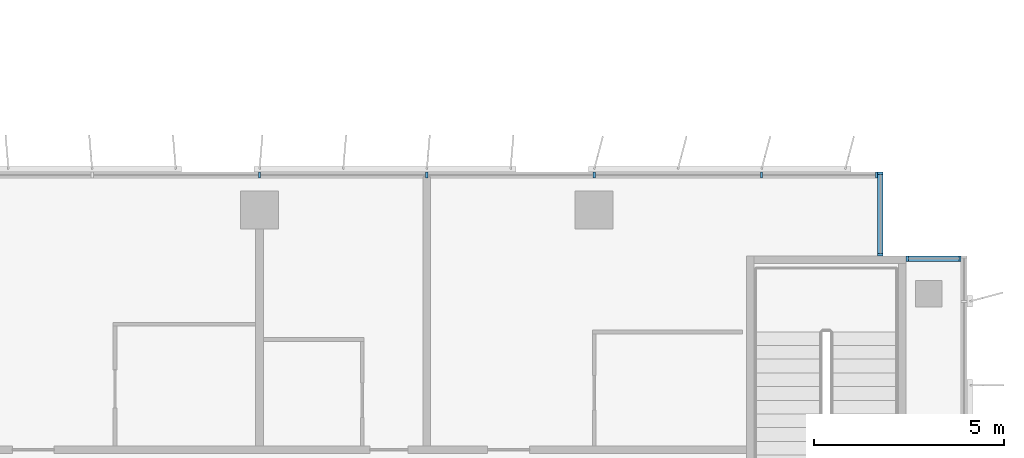
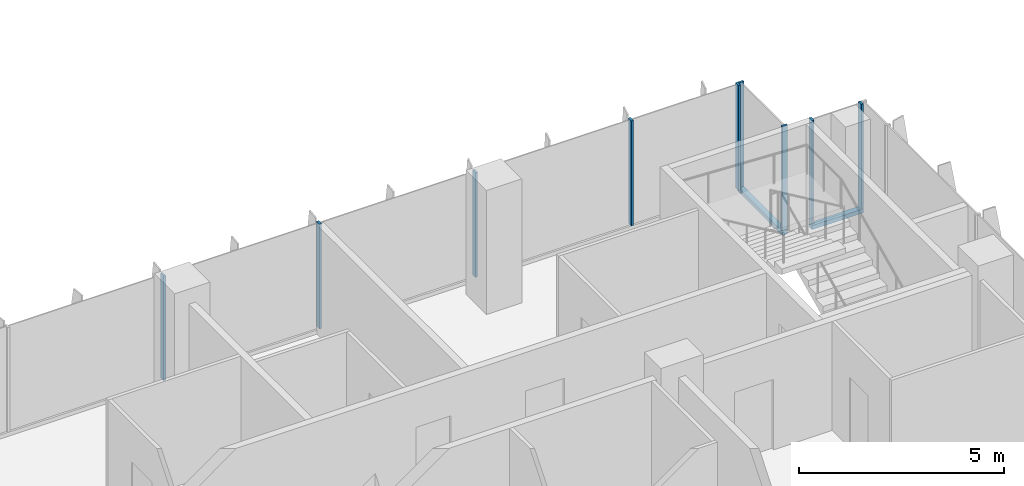
# One storey, part 4 of 20: 11 members, 3 elements without a shape of their own.
"""IFC4 building model written with IfcOpenShell, lengths in metres."""

from ifc_helpers import new_model, si_unit, direction, frame, origin, origin_2d, place, context, subcontext, project, spatial, rectangle, extrude, source, transform, mapped, material, material_profile, profile_set, type_object, element, aggregate, save


model = new_model("IFC4")

# Units and contexts
model_context = context("Model", 3, precision=1e-05, world=origin(), true_north=direction((0.0, 1.0)))
body_context = subcontext(model_context, "Body", "Model", "MODEL_VIEW")
ifc_project = project(units=[si_unit("LENGTHUNIT", "METRE"), si_unit("AREAUNIT", "SQUARE_METRE"), si_unit("VOLUMEUNIT", "CUBIC_METRE"), si_unit("PLANEANGLEUNIT", "RADIAN"), si_unit("MASSUNIT", "GRAM", prefix="KILO")], contexts=[model_context])

# Site, building, storey
site_placement = place(None, origin())
site = spatial("IfcSite", under=ifc_project, at=site_placement, CompositionType="ELEMENT")
building_placement = place(site_placement, origin())
building = spatial("IfcBuilding", under=site, at=building_placement, Name="Kemantara Hotel Tower", CompositionType="ELEMENT")
storey_placement = place(building_placement, frame((0.0, 0.0, 190.10009765625)))
storey = spatial("IfcBuildingStorey", under=building, at=storey_placement, Name="L47", CompositionType="ELEMENT", Elevation=190.10009765625)

# Curtain wall, member
ifc_material_1 = material(Name="Low-E tinted double insulated glass 36 mm", Category="glass")
curtain_wall_type = type_object("IfcCurtainWallType", Name="TOWER CURTAIN WALL, FRONT FACES", PredefinedType="USERDEFINED", material=ifc_material_1)
curtain_wall_1_placement = place(storey_placement, origin())
curtain_wall_1 = element("IfcCurtainWall", 1, at=curtain_wall_1_placement, inside=storey, type_object=curtain_wall_type, Name="CW4 L47 T3-R12-1", ObjectType="TOWER CURTAIN WALL, FRONT FACES", PredefinedType="USERDEFINED")
ifc_material_2 = material(Name="Aluminium 6063-T6 bronze anodised", Category="aluminium")
ifc_material_profile_1 = material_profile(ifc_material_2, rectangle(XDim=0.14990234375, YDim=0.1201171875, at=origin_2d()), Name="TOWER CURTAIN WALL, FRONT FACES TRANSOM")
ifc_profile_set_1 = profile_set([ifc_material_profile_1], Name="Aluminium 6063-T6 bronze anodised")
member_type_1 = type_object("IfcMemberType", Name="TOWER CURTAIN WALL, FRONT FACES TRANSOM", PredefinedType="USERDEFINED", material=ifc_profile_set_1)
member_1_placement = place(storey_placement, frame((63.449951171875, 19.72509765625, 0.059814453125), z_axis=(-1.0, 0.0, 0.0), x_axis=(0.0, -1.0, 0.0)))
member_1 = element("IfcMember", 2, at=member_1_placement, type_object=member_type_1, Name="CW4 sill transom T3-R12-1", ObjectType="TRANSOM", PredefinedType="USERDEFINED", context=body_context, shape_type="SweptSolid", body=[
    extrude(rectangle(XDim=0.14990234375, YDim=0.1201171875, at=origin_2d()), origin(), (0.0, 0.0, 1.0), 1.449951171875),
])

curtain_wall_2_placement = place(storey_placement, origin())
curtain_wall_2 = element("IfcCurtainWall", 3, at=curtain_wall_2_placement, inside=storey, type_object=curtain_wall_type, Name="CW4 L47 T3-R13-1", ObjectType="TOWER CURTAIN WALL, FRONT FACES", PredefinedType="USERDEFINED")
member_2_placement = place(storey_placement, frame((61.324951171875, 19.800048828125, 0.059814453125), z_axis=(0.0, 1.0, 0.0), x_axis=(-1.0, 0.0, 0.0)))
member_2 = element("IfcMember", 4, at=member_2_placement, type_object=member_type_1, Name="CW4 sill transom T3-R13-1", ObjectType="TRANSOM", PredefinedType="USERDEFINED", context=body_context, shape_type="SweptSolid", body=[
    extrude(rectangle(XDim=0.14990234375, YDim=0.1201171875, at=origin_2d()), origin(), (0.0, 0.0, 1.0), 2.199951171875),
])

# Curtain wall, members
curtain_wall_3_placement = place(storey_placement, origin())
curtain_wall_3 = element("IfcCurtainWall", 5, at=curtain_wall_3_placement, inside=storey, type_object=curtain_wall_type, Name="CW4 L47 T3-R14-1", ObjectType="TOWER CURTAIN WALL, FRONT FACES", PredefinedType="USERDEFINED")
ifc_material_profile_2 = material_profile(ifc_material_2, rectangle(XDim=0.14990234375, YDim=0.06005859375, at=origin_2d()), Name="TOWER CURTAIN WALL, FRONT FACES MULLION")
ifc_profile_set_2 = profile_set([ifc_material_profile_2], Name="Aluminium 6063-T6 bronze anodised")
member_type_2 = type_object("IfcMemberType", Name="TOWER CURTAIN WALL, FRONT FACES MULLION", PredefinedType="MULLION", material=ifc_profile_set_2)
shared_shape = source(origin(), body_context, "Body", "SweptSolid", [
    extrude(rectangle(XDim=0.14990234375, YDim=0.06005859375, at=origin_2d()), origin(), (0.0, 0.0, 1.0), 3.130126953125),
])
member_3_placement = place(storey_placement, frame((61.219970703125, 21.925048828125, 0.119873046875), z_axis=(0.0, 0.0, 1.0), x_axis=(0.0, -1.0, 0.0)))
member_3 = element("IfcMember", 6, at=member_3_placement, type_object=member_type_2, Name="CW4 mullion T3-R14-1.1", PredefinedType="MULLION", context=body_context, shape_type="MappedRepresentation", body=[
    mapped(shared_shape, transform((0.0, 0.0, 0.0))),
])
member_4_placement = place(storey_placement, frame((58.199951171875, 21.925048828125, 0.119873046875), z_axis=(0.0, 0.0, 1.0), x_axis=(0.0, -1.0, 0.0)))
member_4 = element("IfcMember", 7, at=member_4_placement, type_object=member_type_2, Name="CW4 mullion T3-R14-1.2", PredefinedType="MULLION", context=body_context, shape_type="MappedRepresentation", body=[
    mapped(shared_shape, transform((0.0, 0.0, 0.0))),
])
member_5_placement = place(storey_placement, frame((53.800048828125, 21.925048828125, 0.119873046875), z_axis=(0.0, 0.0, 1.0), x_axis=(0.0, -1.0, 0.0)))
member_5 = element("IfcMember", 8, at=member_5_placement, type_object=member_type_2, Name="CW4 mullion T3-R14-1.3", PredefinedType="MULLION", context=body_context, shape_type="MappedRepresentation", body=[
    mapped(shared_shape, transform((0.0, 0.0, 0.0))),
])
member_6_placement = place(storey_placement, frame((49.39990234375, 21.925048828125, 0.119873046875), z_axis=(0.0, 0.0, 1.0), x_axis=(0.0, -1.0, 0.0)))
member_6 = element("IfcMember", 9, at=member_6_placement, type_object=member_type_2, Name="CW4 mullion T3-R14-1.4", PredefinedType="MULLION", context=body_context, shape_type="MappedRepresentation", body=[
    mapped(shared_shape, transform((0.0, 0.0, 0.0))),
])
member_7_placement = place(storey_placement, frame((45.0, 21.925048828125, 0.119873046875), z_axis=(0.0, 0.0, 1.0), x_axis=(0.0, -1.0, 0.0)))
member_7 = element("IfcMember", 10, at=member_7_placement, type_object=member_type_2, Name="CW4 mullion T3-R14-1.5", PredefinedType="MULLION", context=body_context, shape_type="MappedRepresentation", body=[
    mapped(shared_shape, transform((0.0, 0.0, 0.0))),
])
aggregate(curtain_wall_3, [member_3, member_4, member_5, member_6, member_7])

# Member
member_8_placement = place(storey_placement, frame((63.419921875, 19.72509765625, 0.119873046875), z_axis=(0.0, 0.0, 1.0), x_axis=(0.0, -1.0, 0.0)))
member_8 = element("IfcMember", 11, at=member_8_placement, type_object=member_type_2, Name="CW4 mullion T3-R12-1.1", PredefinedType="MULLION", context=body_context, shape_type="MappedRepresentation", body=[
    mapped(shared_shape, transform((0.0, 0.0, 0.0))),
])

member_9_placement = place(storey_placement, frame((62.030029296875, 19.72509765625, 0.119873046875), z_axis=(0.0, 0.0, 1.0), x_axis=(0.0, -1.0, 0.0)))
member_9 = element("IfcMember", 12, at=member_9_placement, type_object=member_type_2, Name="CW4 mullion T3-R12-1.2", PredefinedType="MULLION", context=body_context, shape_type="MappedRepresentation", body=[
    mapped(shared_shape, transform((0.0, 0.0, 0.0))),
])

aggregate(curtain_wall_1, [member_1, member_8, member_9])

member_10_placement = place(storey_placement, frame((61.324951171875, 19.830078125, 0.119873046875), z_axis=(0.0, 0.0, 1.0), x_axis=(-1.0, 0.0, 0.0)))
member_10 = element("IfcMember", 13, at=member_10_placement, type_object=member_type_2, Name="CW4 mullion T3-R13-1.1", PredefinedType="MULLION", context=body_context, shape_type="MappedRepresentation", body=[
    mapped(shared_shape, transform((0.0, 0.0, 0.0))),
])

member_11_placement = place(storey_placement, frame((61.324951171875, 21.969970703125, 0.119873046875), z_axis=(0.0, 0.0, 1.0), x_axis=(-1.0, 0.0, 0.0)))
member_11 = element("IfcMember", 14, at=member_11_placement, type_object=member_type_2, Name="CW4 mullion T3-R13-1.2", PredefinedType="MULLION", context=body_context, shape_type="MappedRepresentation", body=[
    mapped(shared_shape, transform((0.0, 0.0, 0.0))),
])

aggregate(curtain_wall_2, [member_2, member_10, member_11])

save(model, "model.ifc")
